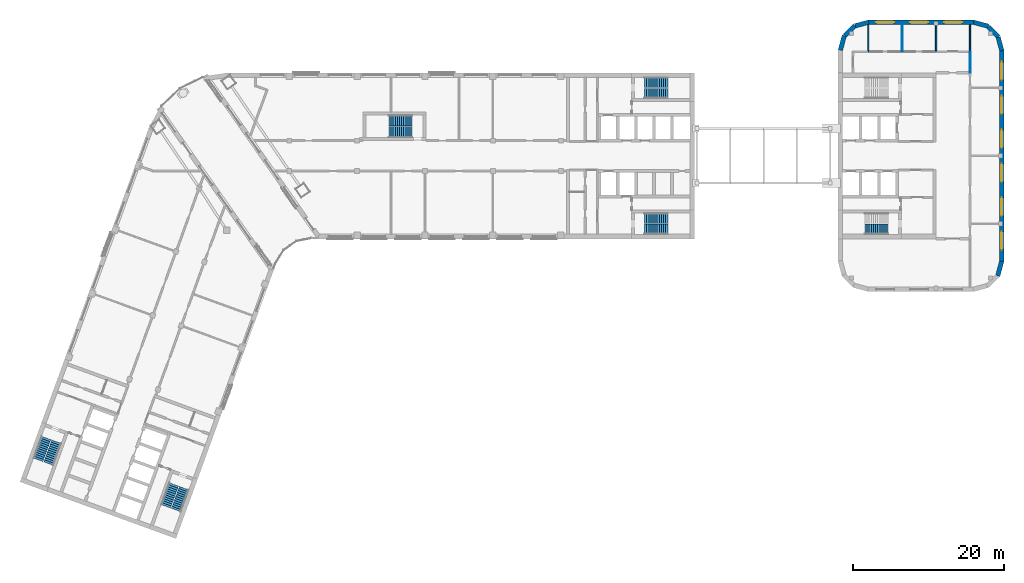
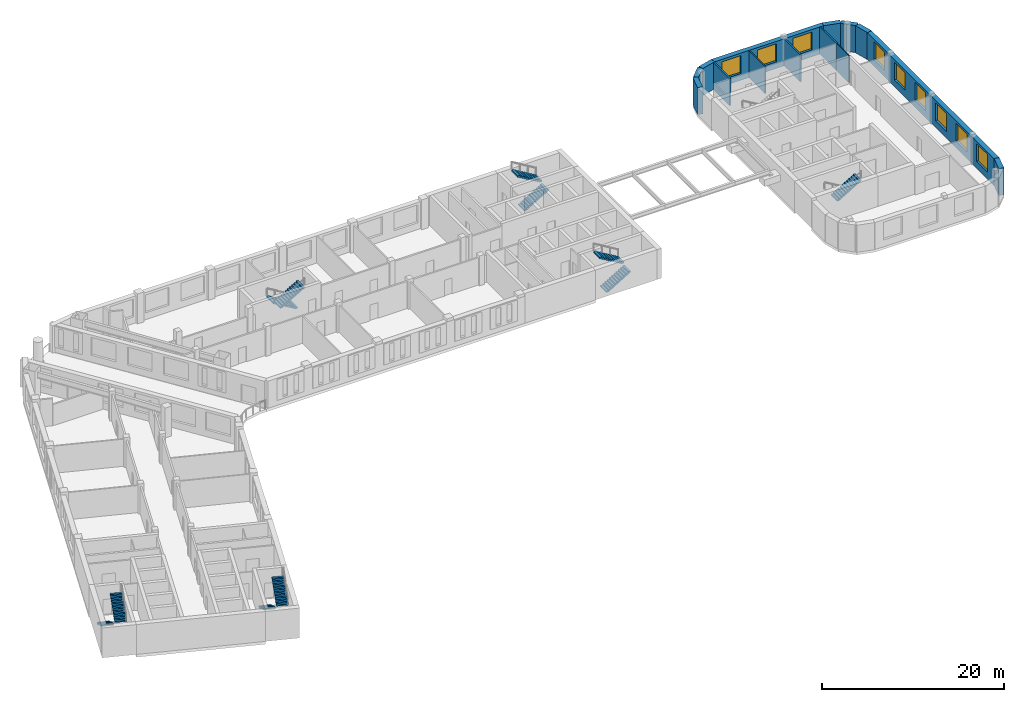
# One storey, part 9 of 14: 14 walls, 11 stair flights, 9 windows, 9 openings, 6 elements without a shape of their own.
"""IFC4 building model written with IfcOpenShell, lengths in metres."""

from ifc_helpers import new_model, si_unit, direction, frame, frame_2d, origin, place, context, subcontext, project, spatial, polyline, rectangle, outline, extrude, material, layer, layer_set, type_object, element, fill, aggregate, save


model = new_model("IFC4")

# Units and contexts
model_context = context("Model", 3, precision=1e-05, world=origin(), true_north=direction((0.0, 1.0)))
body_context = subcontext(model_context, "Body", "Model", "MODEL_VIEW")
ifc_project = project(units=[si_unit("LENGTHUNIT", "METRE"), si_unit("AREAUNIT", "SQUARE_METRE"), si_unit("VOLUMEUNIT", "CUBIC_METRE"), si_unit("PLANEANGLEUNIT", "RADIAN"), si_unit("MASSUNIT", "GRAM", prefix="KILO")], contexts=[model_context])

# Site, building, storey
site_placement = place(None, origin())
site = spatial("IfcSite", under=ifc_project, at=site_placement, CompositionType="ELEMENT")
building_placement = place(site_placement, origin())
building = spatial("IfcBuilding", under=site, at=building_placement, Name="Skarvind Civic Tower", CompositionType="ELEMENT")
storey_placement = place(building_placement, frame((0.0, 0.0, 105.0)))
storey = spatial("IfcBuildingStorey", under=building, at=storey_placement, Name="L24", CompositionType="ELEMENT", Elevation=105.0)

# Walls
ifc_material_1 = material(Name="Acoustic gypsum board on steel studs", Category="steel")
ifc_layer_1 = layer(ifc_material_1, 0.175048828125)
ifc_layer_set_1 = layer_set([ifc_layer_1], Name="ACOUSTIC MEETING-ROOM PARTITION 175")
wall_type_1 = type_object("IfcWallType", Name="ACOUSTIC MEETING-ROOM PARTITION 175", PredefinedType="PARTITIONING", material=ifc_layer_set_1)
wall_1_placement = place(storey_placement, frame((131.0, 145.37890625, 0.0), z_axis=(0.0, 0.0, 1.0), x_axis=(0.0, -1.0, 0.0)))
element("IfcWall", 1, at=wall_1_placement, inside=storey, type_object=wall_type_1, Name="Partition 24.004", PredefinedType="PARTITIONING", context=body_context, shape_type="SweptSolid", body=[
    extrude(rectangle(XDim=3.578857421875, YDim=0.175048828125, at=frame_2d((1.78955078125, 0.0))), origin(), (0.0, 0.0, 1.0), 3.625),
])
wall_2_placement = place(storey_placement, frame((140.0, 141.887939453125, 0.0), z_axis=(0.0, 0.0, 1.0), x_axis=(0.0, 1.0, 0.0)))
element("IfcWall", 2, at=wall_2_placement, inside=storey, type_object=wall_type_1, Name="Partition 24.007", PredefinedType="PARTITIONING", context=body_context, shape_type="SweptSolid", body=[
    extrude(rectangle(XDim=3.511962890625, YDim=0.175048828125, at=frame_2d((1.755859375, 0.0))), origin(), (0.0, 0.0, 1.0), 3.625),
])
wall_3_placement = place(storey_placement, frame((144.5, 141.800048828125, 0.0), z_axis=(0.0, 0.0, 1.0), x_axis=(0.0, 1.0, 0.0)))
element("IfcWall", 3, at=wall_3_placement, inside=storey, type_object=wall_type_1, Name="Partition 24.016", PredefinedType="PARTITIONING", context=body_context, shape_type="SweptSolid", body=[
    extrude(rectangle(XDim=3.599853515625, YDim=0.175048828125, at=frame_2d((1.7998046875, 0.0))), origin(), (0.0, 0.0, 1.0), 3.625),
])
ifc_material_2 = material(Name="Moisture-resistant gypsum board on steel studs", Category="steel")
ifc_layer_2 = layer(ifc_material_2, 0.125)
ifc_layer_set_2 = layer_set([ifc_layer_2], Name="WC PARTITION 125")
wall_type_2 = type_object("IfcWallType", Name="WC PARTITION 125", PredefinedType="PARTITIONING", material=ifc_layer_set_2)
wall_4_placement = place(storey_placement, frame((135.5, 141.862060546875, 0.0), z_axis=(0.0, 0.0, 1.0), x_axis=(0.0, 1.0, 0.0)))
element("IfcWall", 4, at=wall_4_placement, inside=storey, type_object=wall_type_2, Name="Partition 24.005", PredefinedType="PARTITIONING", context=body_context, shape_type="SweptSolid", body=[
    extrude(rectangle(XDim=3.537841796875, YDim=0.125, at=frame_2d((1.76904296875, 0.0))), origin(), (0.0, 0.0, 1.0), 3.625),
])
wall_5_placement = place(storey_placement, frame((144.5, 141.800048828125, 0.0), z_axis=(0.0, 0.0, 1.0), x_axis=(0.0, -1.0, 0.0)))
element("IfcWall", 5, at=wall_5_placement, inside=storey, type_object=wall_type_2, Name="Partition 24.015", PredefinedType="PARTITIONING", context=body_context, shape_type="SweptSolid", body=[
    extrude(rectangle(XDim=2.800048828125, YDim=0.125, at=frame_2d((1.39990234375, 0.0))), origin(), (0.0, 0.0, 1.0), 3.625),
])

# Wall, openings, windows
ifc_material_3 = material(Name="Limestone masonry cladding on insulated backing", Category="masonry")
ifc_layer_3 = layer(ifc_material_3, 0.60009765625)
ifc_layer_set_3 = layer_set([ifc_layer_3], Name="WX1 STONE FACADE WALL 600")
wall_type_3 = type_object("IfcWallType", Name="WX1 STONE FACADE WALL 600", PredefinedType="SOLIDWALL", material=ifc_layer_set_3)
wall_6_placement = place(storey_placement, frame((131.070068359375, 145.699951171875, 0.0), z_axis=(0.0, 0.0, 1.0), x_axis=(1.0, 0.0, 0.0)))
wall_6 = element("IfcWall", 6, at=wall_6_placement, inside=storey, type_object=wall_type_3, Name="STONE FACADE WALL", PredefinedType="SOLIDWALL", context=body_context, shape_type="SweptSolid", body=[
    extrude(rectangle(XDim=13.929931640625, YDim=0.60009765625, at=frame_2d((6.96484375, 0.0))), origin(), (0.0, 0.0, 1.0), 3.625),
])
opening_1_placement = place(wall_6_placement, frame((0.97998046875, 0.0, 0.89990234375)))
opening_1 = element("IfcOpeningElement", 7, at=opening_1_placement, cuts=wall_6, Name="Opening WN9", PredefinedType="OPENING", context=body_context, shape_type="SweptSolid", body=[
    extrude(rectangle(XDim=2.39990234375, YDim=2.39990234375, at=frame_2d((1.199951171875, 1.199951171875))), frame((0.0, 0.31005859375, 0.0), z_axis=(0.0, -1.0, 0.0), x_axis=(1.0, 0.0, 0.0)), (0.0, 0.0, 1.0), 0.6201171875),
])
opening_2_placement = place(wall_6_placement, frame((5.47998046875, 0.0, 0.89990234375)))
opening_2 = element("IfcOpeningElement", 8, at=opening_2_placement, cuts=wall_6, Name="Opening WN9", PredefinedType="OPENING", context=body_context, shape_type="SweptSolid", body=[
    extrude(rectangle(XDim=2.39990234375, YDim=2.39990234375, at=frame_2d((1.199951171875, 1.199951171875))), frame((0.0, 0.31005859375, 0.0), z_axis=(0.0, -1.0, 0.0), x_axis=(1.0, 0.0, 0.0)), (0.0, 0.0, 1.0), 0.6201171875),
])
opening_3_placement = place(wall_6_placement, frame((9.97998046875, 0.0, 0.89990234375)))
opening_3 = element("IfcOpeningElement", 9, at=opening_3_placement, cuts=wall_6, Name="Opening WN9", PredefinedType="OPENING", context=body_context, shape_type="SweptSolid", body=[
    extrude(rectangle(XDim=2.39990234375, YDim=2.39990234375, at=frame_2d((1.199951171875, 1.199951171875))), frame((0.0, 0.31005859375, 0.0), z_axis=(0.0, -1.0, 0.0), x_axis=(1.0, 0.0, 0.0)), (0.0, 0.0, 1.0), 0.6201171875),
])
ifc_material_4 = material(Name="Timber frame, double glazing, timber-lined reveal", Category="wood")
window_type = type_object("IfcWindowType", Name="WN9 COMPANION TOWER WINDOW 2400 x 2400", PartitioningType="SINGLE_PANEL", PredefinedType="WINDOW", material=ifc_material_4)
window_1_placement = place(opening_1_placement, origin())
window_1 = element("IfcWindow", 10, at=window_1_placement, inside=storey, type_object=window_type, Name="WN9 WINDOW", OverallHeight=2.39990234375, OverallWidth=2.39990234375, PartitioningType="SINGLE_PANEL", PredefinedType="WINDOW", context=body_context, shape_type="SweptSolid", body=[
    extrude(rectangle(XDim=2.39990234375, YDim=2.39990234375, at=frame_2d((1.199951171875, 1.199951171875))), frame((0.0, 0.030029296875, 0.0), z_axis=(0.0, -1.0, 0.0), x_axis=(1.0, 0.0, 0.0)), (0.0, 0.0, 1.0), 0.06005859375),
])
fill(opening_1, window_1)
window_2_placement = place(opening_2_placement, origin())
window_2 = element("IfcWindow", 11, at=window_2_placement, inside=storey, type_object=window_type, Name="WN9 WINDOW", OverallHeight=2.39990234375, OverallWidth=2.39990234375, PartitioningType="SINGLE_PANEL", PredefinedType="WINDOW", context=body_context, shape_type="SweptSolid", body=[
    extrude(rectangle(XDim=2.39990234375, YDim=2.39990234375, at=frame_2d((1.199951171875, 1.199951171875))), frame((0.0, 0.030029296875, 0.0), z_axis=(0.0, -1.0, 0.0), x_axis=(1.0, 0.0, 0.0)), (0.0, 0.0, 1.0), 0.06005859375),
])
fill(opening_2, window_2)
window_3_placement = place(opening_3_placement, origin())
window_3 = element("IfcWindow", 12, at=window_3_placement, inside=storey, type_object=window_type, Name="WN9 WINDOW", OverallHeight=2.39990234375, OverallWidth=2.39990234375, PartitioningType="SINGLE_PANEL", PredefinedType="WINDOW", context=body_context, shape_type="SweptSolid", body=[
    extrude(rectangle(XDim=2.39990234375, YDim=2.39990234375, at=frame_2d((1.199951171875, 1.199951171875))), frame((0.0, 0.030029296875, 0.0), z_axis=(0.0, -1.0, 0.0), x_axis=(1.0, 0.0, 0.0)), (0.0, 0.0, 1.0), 0.06005859375),
])
fill(opening_3, window_3)

# Walls
for number, where, z_axis, x_axis, name in (
    (13, (129.280517578125, 145.228759765625, 0.0), (0.0, 0.0, 1.0), (0.965938094805, 0.258773254036, 0.0), "STONE FACADE WALL"),
    (14, (127.896484375, 143.936279296875, 0.0), (0.0, 0.0, 1.0), (0.707106781187, 0.707106781187, 0.0), "STONE FACADE WALL"),
):
    element("IfcWall", number, at=place(storey_placement, frame(where, z_axis=z_axis, x_axis=x_axis)), inside=storey, type_object=wall_type_3, Name=name, PredefinedType="SOLIDWALL", context=body_context, shape_type="SweptSolid", body=[
        extrude(rectangle(XDim=1.860595703125, YDim=0.60009765625, at=frame_2d((0.93017578125, 0.0))), origin(), (0.0, 0.0, 1.0), 3.625),
    ])
for number, where, z_axis, x_axis, name in (
    (15, (127.307861328125, 141.989990234375, 0.0), (0.0, 0.0, 1.0), (0.258839784042, 0.965920269068, 0.0), "STONE FACADE WALL"),
    (16, (148.692138671875, 114.010009765625, 0.0), (0.0, 0.0, 1.0), (-0.258839784042, -0.965920269068, 0.0), "STONE FACADE WALL"),
):
    element("IfcWall", number, at=place(storey_placement, frame(where, z_axis=z_axis, x_axis=x_axis)), inside=storey, type_object=wall_type_3, Name=name, PredefinedType="SOLIDWALL", context=body_context, shape_type="SweptSolid", body=[
        extrude(rectangle(XDim=2.00048828125, YDim=0.60009765625, at=frame_2d((1.000244140625, 0.0))), origin(), (0.0, 0.0, 1.0), 3.625),
    ])

# Wall, openings, windows
wall_7_placement = place(storey_placement, frame((148.699951171875, 141.929931640625, 0.0), z_axis=(0.0, 0.0, 1.0), x_axis=(0.0, -1.0, 0.0)))
wall_7 = element("IfcWall", 17, at=wall_7_placement, inside=storey, type_object=wall_type_3, Name="STONE FACADE WALL", PredefinedType="SOLIDWALL", context=body_context, shape_type="SweptSolid", body=[
    extrude(rectangle(XDim=27.929931640625, YDim=0.60009765625, at=frame_2d((13.96484375, 0.0))), origin(), (0.0, 0.0, 1.0), 3.625),
])
opening_4_placement = place(wall_7_placement, frame((1.47998046875, 0.0, 0.89990234375)))
opening_4 = element("IfcOpeningElement", 18, at=opening_4_placement, cuts=wall_7, Name="Opening WN9", PredefinedType="OPENING", context=body_context, shape_type="SweptSolid", body=[
    extrude(rectangle(XDim=2.39990234375, YDim=2.39990234375, at=frame_2d((1.199951171875, 1.199951171875))), frame((0.0, 0.31005859375, 0.0), z_axis=(0.0, -1.0, 0.0), x_axis=(1.0, 0.0, 0.0)), (0.0, 0.0, 1.0), 0.6201171875),
])
opening_5_placement = place(wall_7_placement, frame((5.97998046875, 0.0, 0.89990234375)))
opening_5 = element("IfcOpeningElement", 19, at=opening_5_placement, cuts=wall_7, Name="Opening WN9", PredefinedType="OPENING", context=body_context, shape_type="SweptSolid", body=[
    extrude(rectangle(XDim=2.39990234375, YDim=2.39990234375, at=frame_2d((1.199951171875, 1.199951171875))), frame((0.0, 0.31005859375, 0.0), z_axis=(0.0, -1.0, 0.0), x_axis=(1.0, 0.0, 0.0)), (0.0, 0.0, 1.0), 0.6201171875),
])
opening_6_placement = place(wall_7_placement, frame((10.47998046875, 0.0, 0.89990234375)))
opening_6 = element("IfcOpeningElement", 20, at=opening_6_placement, cuts=wall_7, Name="Opening WN9", PredefinedType="OPENING", context=body_context, shape_type="SweptSolid", body=[
    extrude(rectangle(XDim=2.39990234375, YDim=2.39990234375, at=frame_2d((1.199951171875, 1.199951171875))), frame((0.0, 0.31005859375, 0.0), z_axis=(0.0, -1.0, 0.0), x_axis=(1.0, 0.0, 0.0)), (0.0, 0.0, 1.0), 0.6201171875),
])
opening_7_placement = place(wall_7_placement, frame((14.97998046875, 0.0, 0.89990234375)))
opening_7 = element("IfcOpeningElement", 21, at=opening_7_placement, cuts=wall_7, Name="Opening WN9", PredefinedType="OPENING", context=body_context, shape_type="SweptSolid", body=[
    extrude(rectangle(XDim=2.39990234375, YDim=2.39990234375, at=frame_2d((1.199951171875, 1.199951171875))), frame((0.0, 0.31005859375, 0.0), z_axis=(0.0, -1.0, 0.0), x_axis=(1.0, 0.0, 0.0)), (0.0, 0.0, 1.0), 0.6201171875),
])
opening_8_placement = place(wall_7_placement, frame((19.47998046875, 0.0, 0.89990234375)))
opening_8 = element("IfcOpeningElement", 22, at=opening_8_placement, cuts=wall_7, Name="Opening WN9", PredefinedType="OPENING", context=body_context, shape_type="SweptSolid", body=[
    extrude(rectangle(XDim=2.39990234375, YDim=2.39990234375, at=frame_2d((1.199951171875, 1.199951171875))), frame((0.0, 0.31005859375, 0.0), z_axis=(0.0, -1.0, 0.0), x_axis=(1.0, 0.0, 0.0)), (0.0, 0.0, 1.0), 0.6201171875),
])
opening_9_placement = place(wall_7_placement, frame((23.97998046875, 0.0, 0.89990234375)))
opening_9 = element("IfcOpeningElement", 23, at=opening_9_placement, cuts=wall_7, Name="Opening WN9", PredefinedType="OPENING", context=body_context, shape_type="SweptSolid", body=[
    extrude(rectangle(XDim=2.39990234375, YDim=2.39990234375, at=frame_2d((1.199951171875, 1.199951171875))), frame((0.0, 0.31005859375, 0.0), z_axis=(0.0, -1.0, 0.0), x_axis=(1.0, 0.0, 0.0)), (0.0, 0.0, 1.0), 0.6201171875),
])
window_4_placement = place(opening_4_placement, origin())
window_4 = element("IfcWindow", 24, at=window_4_placement, inside=storey, type_object=window_type, Name="WN9 WINDOW", OverallHeight=2.39990234375, OverallWidth=2.39990234375, PartitioningType="SINGLE_PANEL", PredefinedType="WINDOW", context=body_context, shape_type="SweptSolid", body=[
    extrude(rectangle(XDim=2.39990234375, YDim=2.39990234375, at=frame_2d((1.199951171875, 1.199951171875))), frame((0.0, 0.030029296875, 0.0), z_axis=(0.0, -1.0, 0.0), x_axis=(1.0, 0.0, 0.0)), (0.0, 0.0, 1.0), 0.06005859375),
])
fill(opening_4, window_4)
window_5_placement = place(opening_5_placement, origin())
window_5 = element("IfcWindow", 25, at=window_5_placement, inside=storey, type_object=window_type, Name="WN9 WINDOW", OverallHeight=2.39990234375, OverallWidth=2.39990234375, PartitioningType="SINGLE_PANEL", PredefinedType="WINDOW", context=body_context, shape_type="SweptSolid", body=[
    extrude(rectangle(XDim=2.39990234375, YDim=2.39990234375, at=frame_2d((1.199951171875, 1.199951171875))), frame((0.0, 0.030029296875, 0.0), z_axis=(0.0, -1.0, 0.0), x_axis=(1.0, 0.0, 0.0)), (0.0, 0.0, 1.0), 0.06005859375),
])
fill(opening_5, window_5)
window_6_placement = place(opening_6_placement, origin())
window_6 = element("IfcWindow", 26, at=window_6_placement, inside=storey, type_object=window_type, Name="WN9 WINDOW", OverallHeight=2.39990234375, OverallWidth=2.39990234375, PartitioningType="SINGLE_PANEL", PredefinedType="WINDOW", context=body_context, shape_type="SweptSolid", body=[
    extrude(rectangle(XDim=2.39990234375, YDim=2.39990234375, at=frame_2d((1.199951171875, 1.199951171875))), frame((0.0, 0.030029296875, 0.0), z_axis=(0.0, -1.0, 0.0), x_axis=(1.0, 0.0, 0.0)), (0.0, 0.0, 1.0), 0.06005859375),
])
fill(opening_6, window_6)
window_7_placement = place(opening_7_placement, origin())
window_7 = element("IfcWindow", 27, at=window_7_placement, inside=storey, type_object=window_type, Name="WN9 WINDOW", OverallHeight=2.39990234375, OverallWidth=2.39990234375, PartitioningType="SINGLE_PANEL", PredefinedType="WINDOW", context=body_context, shape_type="SweptSolid", body=[
    extrude(rectangle(XDim=2.39990234375, YDim=2.39990234375, at=frame_2d((1.199951171875, 1.199951171875))), frame((0.0, 0.030029296875, 0.0), z_axis=(0.0, -1.0, 0.0), x_axis=(1.0, 0.0, 0.0)), (0.0, 0.0, 1.0), 0.06005859375),
])
fill(opening_7, window_7)
window_8_placement = place(opening_8_placement, origin())
window_8 = element("IfcWindow", 28, at=window_8_placement, inside=storey, type_object=window_type, Name="WN9 WINDOW", OverallHeight=2.39990234375, OverallWidth=2.39990234375, PartitioningType="SINGLE_PANEL", PredefinedType="WINDOW", context=body_context, shape_type="SweptSolid", body=[
    extrude(rectangle(XDim=2.39990234375, YDim=2.39990234375, at=frame_2d((1.199951171875, 1.199951171875))), frame((0.0, 0.030029296875, 0.0), z_axis=(0.0, -1.0, 0.0), x_axis=(1.0, 0.0, 0.0)), (0.0, 0.0, 1.0), 0.06005859375),
])
fill(opening_8, window_8)
window_9_placement = place(opening_9_placement, origin())
window_9 = element("IfcWindow", 29, at=window_9_placement, inside=storey, type_object=window_type, Name="WN9 WINDOW", OverallHeight=2.39990234375, OverallWidth=2.39990234375, PartitioningType="SINGLE_PANEL", PredefinedType="WINDOW", context=body_context, shape_type="SweptSolid", body=[
    extrude(rectangle(XDim=2.39990234375, YDim=2.39990234375, at=frame_2d((1.199951171875, 1.199951171875))), frame((0.0, 0.030029296875, 0.0), z_axis=(0.0, -1.0, 0.0), x_axis=(1.0, 0.0, 0.0)), (0.0, 0.0, 1.0), 0.06005859375),
])
fill(opening_9, window_9)

# Walls
for number, where, z_axis, x_axis, name in (
    (30, (148.228759765625, 143.719482421875, 0.0), (0.0, 0.0, 1.0), (0.258773254036, -0.965938094805, 0.0), "STONE FACADE WALL"),
    (31, (146.936279296875, 145.103515625, 0.0), (0.0, 0.0, 1.0), (0.707106781187, -0.707106781187, 0.0), "STONE FACADE WALL"),
):
    element("IfcWall", number, at=place(storey_placement, frame(where, z_axis=z_axis, x_axis=x_axis)), inside=storey, type_object=wall_type_3, Name=name, PredefinedType="SOLIDWALL", context=body_context, shape_type="SweptSolid", body=[
        extrude(rectangle(XDim=1.860595703125, YDim=0.60009765625, at=frame_2d((0.93017578125, 0.0))), origin(), (0.0, 0.0, 1.0), 3.625),
    ])
wall_8_placement = place(storey_placement, frame((144.989990234375, 145.692138671875, 0.0), z_axis=(0.0, 0.0, 1.0), x_axis=(0.965920269068, -0.258839784042, 0.0)))
element("IfcWall", 32, at=wall_8_placement, inside=storey, type_object=wall_type_3, Name="STONE FACADE WALL", PredefinedType="SOLIDWALL", context=body_context, shape_type="SweptSolid", body=[
    extrude(rectangle(XDim=2.00048828125, YDim=0.60009765625, at=frame_2d((1.000244140625, 0.0))), origin(), (0.0, 0.0, 1.0), 3.625),
])

# Stair, stair flights
ifc_material_5 = material(Name="Concrete C40/50", Category="concrete")
stair_type_1 = type_object("IfcStairType", Name="Exit stair 1450, half-turn, concrete", PredefinedType="HALF_TURN_STAIR", material=ifc_material_5)
stair_1_placement = place(storey_placement, origin())
stair_1 = element("IfcStair", 33, at=stair_1_placement, inside=storey, type_object=stair_type_1, Name="Exit stair CM", PredefinedType="HALF_TURN_STAIR")
stair_flight_type_1 = type_object("IfcStairFlightType", Name="Stair flight 1450, concrete", PredefinedType="STRAIGHT", material=ifc_material_5)
stair_flight_1_placement = place(storey_placement, frame((70.550048828125, 132.675048828125, 0.0), z_axis=(0.0, 0.0, 1.0), x_axis=(-1.0, 0.0, 0.0)))
stair_flight_1 = element("IfcStairFlight", 34, at=stair_flight_1_placement, type_object=stair_flight_type_1, Name="ST-CM flight 1", NumberOfRisers=12, NumberOfTreads=11, PredefinedType="STRAIGHT", RiserHeight=0.166666667, TreadLength=0.28, context=body_context, shape_type="SweptSolid", body=[
    extrude(outline(polyline([(0.0, 0.0), (0.0, 0.166748046875), (0.280029296875, 0.166748046875), (0.280029296875, 0.333251953125), (0.56005859375, 0.333251953125), (0.56005859375, 0.5), (0.840087890625, 0.5), (0.840087890625, 0.666748046875), (1.1201171875, 0.666748046875), (1.1201171875, 0.833251953125), (1.39990234375, 0.833251953125), (1.39990234375, 1.0), (1.679931640625, 1.0), (1.679931640625, 1.166748046875), (1.9599609375, 1.166748046875), (1.9599609375, 1.333251953125), (2.239990234375, 1.333251953125), (2.239990234375, 1.5), (2.52001953125, 1.5), (2.52001953125, 1.666748046875), (2.800048828125, 1.666748046875), (2.800048828125, 1.833251953125), (3.080078125, 1.833251953125), (3.080078125, 2.0), (3.080078125, 1.658935546875), (0.29296875, 0.0), (0.0, 0.0)])), frame((0.0, 0.72509765625, 0.0), z_axis=(0.0, -1.0, 0.0), x_axis=(1.0, 0.0, 0.0)), (0.0, 0.0, 1.0), 1.449951171875),
])
stair_flight_2_placement = place(storey_placement, frame((67.469970703125, 131.125, 2.0), z_axis=(0.0, 0.0, 1.0), x_axis=(1.0, 0.0, 0.0)))
stair_flight_2 = element("IfcStairFlight", 35, at=stair_flight_2_placement, type_object=stair_flight_type_1, Name="ST-CM flight 2", NumberOfRisers=12, NumberOfTreads=11, PredefinedType="STRAIGHT", RiserHeight=0.166666667, TreadLength=0.28, context=body_context, shape_type="SweptSolid", body=[
    extrude(outline(polyline([(0.0, 0.0), (0.0, 0.166748046875), (0.280029296875, 0.166748046875), (0.280029296875, 0.333251953125), (0.56005859375, 0.333251953125), (0.56005859375, 0.5), (0.840087890625, 0.5), (0.840087890625, 0.666748046875), (1.1201171875, 0.666748046875), (1.1201171875, 0.833251953125), (1.39990234375, 0.833251953125), (1.39990234375, 1.0), (1.679931640625, 1.0), (1.679931640625, 1.166748046875), (1.9599609375, 1.166748046875), (1.9599609375, 1.333251953125), (2.239990234375, 1.333251953125), (2.239990234375, 1.5), (2.52001953125, 1.5), (2.52001953125, 1.666748046875), (2.800048828125, 1.666748046875), (2.800048828125, 1.833251953125), (3.080078125, 1.833251953125), (3.080078125, 2.0), (3.080078125, 1.658935546875), (0.29296875, 0.0), (0.0, 0.0)])), frame((0.0, 0.72509765625, 0.0), z_axis=(0.0, -1.0, 0.0), x_axis=(1.0, 0.0, 0.0)), (0.0, 0.0, 1.0), 1.449951171875),
])
aggregate(stair_1, [stair_flight_1, stair_flight_2])

stair_type_2 = type_object("IfcStairType", Name="Exit stair, half-turn, concrete", PredefinedType="HALF_TURN_STAIR", material=ifc_material_5)
stair_2_placement = place(storey_placement, origin())
stair_2 = element("IfcStair", 36, at=stair_2_placement, inside=storey, type_object=stair_type_2, Name="Exit stair C1S", PredefinedType="HALF_TURN_STAIR")
stair_flight_type_2 = type_object("IfcStairFlightType", Name="Stair flight, concrete", PredefinedType="STRAIGHT", material=ifc_material_5)
stair_flight_3_placement = place(storey_placement, frame((101.35009765625, 136.27490234375, 0.0), z_axis=(0.0, 0.0, 1.0), x_axis=(1.0, 0.0, 0.0)))
stair_flight_3 = element("IfcStairFlight", 37, at=stair_flight_3_placement, type_object=stair_flight_type_2, Name="ST-C1S flight 1", NumberOfRisers=12, NumberOfTreads=11, PredefinedType="STRAIGHT", RiserHeight=0.166666667, TreadLength=0.28, context=body_context, shape_type="SweptSolid", body=[
    extrude(outline(polyline([(0.0, 0.0), (0.0, 0.166748046875), (0.280029296875, 0.166748046875), (0.280029296875, 0.333251953125), (0.56005859375, 0.333251953125), (0.56005859375, 0.5), (0.840087890625, 0.5), (0.840087890625, 0.666748046875), (1.1201171875, 0.666748046875), (1.1201171875, 0.833251953125), (1.39990234375, 0.833251953125), (1.39990234375, 1.0), (1.679931640625, 1.0), (1.679931640625, 1.166748046875), (1.9599609375, 1.166748046875), (1.9599609375, 1.333251953125), (2.239990234375, 1.333251953125), (2.239990234375, 1.5), (2.52001953125, 1.5), (2.52001953125, 1.666748046875), (2.800048828125, 1.666748046875), (2.800048828125, 1.833251953125), (3.080078125, 1.833251953125), (3.080078125, 2.0), (3.080078125, 1.658935546875), (0.29296875, 0.0), (0.0, 0.0)])), frame((0.0, 0.675048828125, 0.0), z_axis=(0.0, -1.0, 0.0), x_axis=(1.0, 0.0, 0.0)), (0.0, 0.0, 1.0), 1.35009765625),
])
stair_flight_4_placement = place(storey_placement, frame((104.429931640625, 137.72509765625, 2.0), z_axis=(0.0, 0.0, 1.0), x_axis=(-1.0, 0.0, 0.0)))
stair_flight_4 = element("IfcStairFlight", 38, at=stair_flight_4_placement, type_object=stair_flight_type_2, Name="ST-C1S flight 2", NumberOfRisers=12, NumberOfTreads=11, PredefinedType="STRAIGHT", RiserHeight=0.166666667, TreadLength=0.28, context=body_context, shape_type="SweptSolid", body=[
    extrude(outline(polyline([(0.0, 0.0), (0.0, 0.166748046875), (0.280029296875, 0.166748046875), (0.280029296875, 0.333251953125), (0.56005859375, 0.333251953125), (0.56005859375, 0.5), (0.840087890625, 0.5), (0.840087890625, 0.666748046875), (1.1201171875, 0.666748046875), (1.1201171875, 0.833251953125), (1.39990234375, 0.833251953125), (1.39990234375, 1.0), (1.679931640625, 1.0), (1.679931640625, 1.166748046875), (1.9599609375, 1.166748046875), (1.9599609375, 1.333251953125), (2.239990234375, 1.333251953125), (2.239990234375, 1.5), (2.52001953125, 1.5), (2.52001953125, 1.666748046875), (2.800048828125, 1.666748046875), (2.800048828125, 1.833251953125), (3.080078125, 1.833251953125), (3.080078125, 2.0), (3.080078125, 1.658935546875), (0.29296875, 0.0), (0.0, 0.0)])), frame((0.0, 0.675048828125, 0.0), z_axis=(0.0, -1.0, 0.0), x_axis=(1.0, 0.0, 0.0)), (0.0, 0.0, 1.0), 1.35009765625),
])
aggregate(stair_2, [stair_flight_3, stair_flight_4])

stair_3_placement = place(storey_placement, origin())
stair_3 = element("IfcStair", 39, at=stair_3_placement, inside=storey, type_object=stair_type_2, Name="Exit stair C1N", PredefinedType="HALF_TURN_STAIR")
stair_flight_5_placement = place(storey_placement, frame((101.35009765625, 118.27490234375, 0.0), z_axis=(0.0, 0.0, 1.0), x_axis=(1.0, 0.0, 0.0)))
stair_flight_5 = element("IfcStairFlight", 40, at=stair_flight_5_placement, type_object=stair_flight_type_2, Name="ST-C1N flight 1", NumberOfRisers=12, NumberOfTreads=11, PredefinedType="STRAIGHT", RiserHeight=0.166666667, TreadLength=0.28, context=body_context, shape_type="SweptSolid", body=[
    extrude(outline(polyline([(0.0, 0.0), (0.0, 0.166748046875), (0.280029296875, 0.166748046875), (0.280029296875, 0.333251953125), (0.56005859375, 0.333251953125), (0.56005859375, 0.5), (0.840087890625, 0.5), (0.840087890625, 0.666748046875), (1.1201171875, 0.666748046875), (1.1201171875, 0.833251953125), (1.39990234375, 0.833251953125), (1.39990234375, 1.0), (1.679931640625, 1.0), (1.679931640625, 1.166748046875), (1.9599609375, 1.166748046875), (1.9599609375, 1.333251953125), (2.239990234375, 1.333251953125), (2.239990234375, 1.5), (2.52001953125, 1.5), (2.52001953125, 1.666748046875), (2.800048828125, 1.666748046875), (2.800048828125, 1.833251953125), (3.080078125, 1.833251953125), (3.080078125, 2.0), (3.080078125, 1.658935546875), (0.29296875, 0.0), (0.0, 0.0)])), frame((0.0, 0.675048828125, 0.0), z_axis=(0.0, -1.0, 0.0), x_axis=(1.0, 0.0, 0.0)), (0.0, 0.0, 1.0), 1.35009765625),
])
stair_flight_6_placement = place(storey_placement, frame((104.429931640625, 119.72509765625, 2.0), z_axis=(0.0, 0.0, 1.0), x_axis=(-1.0, 0.0, 0.0)))
stair_flight_6 = element("IfcStairFlight", 41, at=stair_flight_6_placement, type_object=stair_flight_type_2, Name="ST-C1N flight 2", NumberOfRisers=12, NumberOfTreads=11, PredefinedType="STRAIGHT", RiserHeight=0.166666667, TreadLength=0.28, context=body_context, shape_type="SweptSolid", body=[
    extrude(outline(polyline([(0.0, 0.0), (0.0, 0.166748046875), (0.280029296875, 0.166748046875), (0.280029296875, 0.333251953125), (0.56005859375, 0.333251953125), (0.56005859375, 0.5), (0.840087890625, 0.5), (0.840087890625, 0.666748046875), (1.1201171875, 0.666748046875), (1.1201171875, 0.833251953125), (1.39990234375, 0.833251953125), (1.39990234375, 1.0), (1.679931640625, 1.0), (1.679931640625, 1.166748046875), (1.9599609375, 1.166748046875), (1.9599609375, 1.333251953125), (2.239990234375, 1.333251953125), (2.239990234375, 1.5), (2.52001953125, 1.5), (2.52001953125, 1.666748046875), (2.800048828125, 1.666748046875), (2.800048828125, 1.833251953125), (3.080078125, 1.833251953125), (3.080078125, 2.0), (3.080078125, 1.658935546875), (0.29296875, 0.0), (0.0, 0.0)])), frame((0.0, 0.675048828125, 0.0), z_axis=(0.0, -1.0, 0.0), x_axis=(1.0, 0.0, 0.0)), (0.0, 0.0, 1.0), 1.35009765625),
])
aggregate(stair_3, [stair_flight_5, stair_flight_6])

stair_4_placement = place(storey_placement, origin())
stair_4 = element("IfcStair", 42, at=stair_4_placement, inside=storey, type_object=stair_type_2, Name="Exit stair C2S", PredefinedType="HALF_TURN_STAIR")
stair_flight_7_placement = place(storey_placement, frame((38.949462890625, 84.43408203125, 0.0), z_axis=(0.0, 0.0, 1.0), x_axis=(-0.342020143326, -0.939692620786, 0.0)))
stair_flight_7 = element("IfcStairFlight", 43, at=stair_flight_7_placement, type_object=stair_flight_type_2, Name="ST-C2S flight 1", NumberOfRisers=12, NumberOfTreads=11, PredefinedType="STRAIGHT", RiserHeight=0.166666667, TreadLength=0.28, context=body_context, shape_type="SweptSolid", body=[
    extrude(outline(polyline([(0.0, 0.0), (0.0, 0.166748046875), (0.280029296875, 0.166748046875), (0.280029296875, 0.333251953125), (0.56005859375, 0.333251953125), (0.56005859375, 0.5), (0.840087890625, 0.5), (0.840087890625, 0.666748046875), (1.1201171875, 0.666748046875), (1.1201171875, 0.833251953125), (1.39990234375, 0.833251953125), (1.39990234375, 1.0), (1.679931640625, 1.0), (1.679931640625, 1.166748046875), (1.9599609375, 1.166748046875), (1.9599609375, 1.333251953125), (2.239990234375, 1.333251953125), (2.239990234375, 1.5), (2.52001953125, 1.5), (2.52001953125, 1.666748046875), (2.800048828125, 1.666748046875), (2.800048828125, 1.833251953125), (3.080078125, 1.833251953125), (3.080078125, 2.0), (3.080078125, 1.658935546875), (0.29296875, 0.0), (0.0, 0.0)])), frame((0.0, 0.675048828125, 0.0), z_axis=(0.0, -1.0, 0.0), x_axis=(1.0, 0.0, 0.0)), (0.0, 0.0, 1.0), 1.35009765625),
])
stair_flight_8_placement = place(storey_placement, frame((39.258544921875, 81.0439453125, 2.0), z_axis=(0.0, 0.0, 1.0), x_axis=(0.342020143326, 0.939692620786, 0.0)))
stair_flight_8 = element("IfcStairFlight", 44, at=stair_flight_8_placement, type_object=stair_flight_type_2, Name="ST-C2S flight 2", NumberOfRisers=12, NumberOfTreads=11, PredefinedType="STRAIGHT", RiserHeight=0.166666667, TreadLength=0.28, context=body_context, shape_type="SweptSolid", body=[
    extrude(outline(polyline([(0.0, 0.0), (0.0, 0.166748046875), (0.280029296875, 0.166748046875), (0.280029296875, 0.333251953125), (0.56005859375, 0.333251953125), (0.56005859375, 0.5), (0.840087890625, 0.5), (0.840087890625, 0.666748046875), (1.1201171875, 0.666748046875), (1.1201171875, 0.833251953125), (1.39990234375, 0.833251953125), (1.39990234375, 1.0), (1.679931640625, 1.0), (1.679931640625, 1.166748046875), (1.9599609375, 1.166748046875), (1.9599609375, 1.333251953125), (2.239990234375, 1.333251953125), (2.239990234375, 1.5), (2.52001953125, 1.5), (2.52001953125, 1.666748046875), (2.800048828125, 1.666748046875), (2.800048828125, 1.833251953125), (3.080078125, 1.833251953125), (3.080078125, 2.0), (3.080078125, 1.658935546875), (0.29296875, 0.0), (0.0, 0.0)])), frame((0.0, 0.675048828125, 0.0), z_axis=(0.0, -1.0, 0.0), x_axis=(1.0, 0.0, 0.0)), (0.0, 0.0, 1.0), 1.35009765625),
])
aggregate(stair_4, [stair_flight_7, stair_flight_8])

stair_5_placement = place(storey_placement, origin())
stair_5 = element("IfcStair", 45, at=stair_5_placement, inside=storey, type_object=stair_type_2, Name="Exit stair C2N", PredefinedType="HALF_TURN_STAIR")
stair_flight_9_placement = place(storey_placement, frame((22.034912109375, 90.590576171875, 0.0), z_axis=(0.0, 0.0, 1.0), x_axis=(-0.342020143326, -0.939692620786, 0.0)))
stair_flight_9 = element("IfcStairFlight", 46, at=stair_flight_9_placement, type_object=stair_flight_type_2, Name="ST-C2N flight 1", NumberOfRisers=12, NumberOfTreads=11, PredefinedType="STRAIGHT", RiserHeight=0.166666667, TreadLength=0.28, context=body_context, shape_type="SweptSolid", body=[
    extrude(outline(polyline([(0.0, 0.0), (0.0, 0.166748046875), (0.280029296875, 0.166748046875), (0.280029296875, 0.333251953125), (0.56005859375, 0.333251953125), (0.56005859375, 0.5), (0.840087890625, 0.5), (0.840087890625, 0.666748046875), (1.1201171875, 0.666748046875), (1.1201171875, 0.833251953125), (1.39990234375, 0.833251953125), (1.39990234375, 1.0), (1.679931640625, 1.0), (1.679931640625, 1.166748046875), (1.9599609375, 1.166748046875), (1.9599609375, 1.333251953125), (2.239990234375, 1.333251953125), (2.239990234375, 1.5), (2.52001953125, 1.5), (2.52001953125, 1.666748046875), (2.800048828125, 1.666748046875), (2.800048828125, 1.833251953125), (3.080078125, 1.833251953125), (3.080078125, 2.0), (3.080078125, 1.658935546875), (0.29296875, 0.0), (0.0, 0.0)])), frame((0.0, 0.675048828125, 0.0), z_axis=(0.0, -1.0, 0.0), x_axis=(1.0, 0.0, 0.0)), (0.0, 0.0, 1.0), 1.35009765625),
])
stair_flight_10_placement = place(storey_placement, frame((22.343994140625, 87.2001953125, 2.0), z_axis=(0.0, 0.0, 1.0), x_axis=(0.342020143326, 0.939692620786, 0.0)))
stair_flight_10 = element("IfcStairFlight", 47, at=stair_flight_10_placement, type_object=stair_flight_type_2, Name="ST-C2N flight 2", NumberOfRisers=12, NumberOfTreads=11, PredefinedType="STRAIGHT", RiserHeight=0.166666667, TreadLength=0.28, context=body_context, shape_type="SweptSolid", body=[
    extrude(outline(polyline([(0.0, 0.0), (0.0, 0.166748046875), (0.280029296875, 0.166748046875), (0.280029296875, 0.333251953125), (0.56005859375, 0.333251953125), (0.56005859375, 0.5), (0.840087890625, 0.5), (0.840087890625, 0.666748046875), (1.1201171875, 0.666748046875), (1.1201171875, 0.833251953125), (1.39990234375, 0.833251953125), (1.39990234375, 1.0), (1.679931640625, 1.0), (1.679931640625, 1.166748046875), (1.9599609375, 1.166748046875), (1.9599609375, 1.333251953125), (2.239990234375, 1.333251953125), (2.239990234375, 1.5), (2.52001953125, 1.5), (2.52001953125, 1.666748046875), (2.800048828125, 1.666748046875), (2.800048828125, 1.833251953125), (3.080078125, 1.833251953125), (3.080078125, 2.0), (3.080078125, 1.658935546875), (0.29296875, 0.0), (0.0, 0.0)])), frame((0.0, 0.675048828125, 0.0), z_axis=(0.0, -1.0, 0.0), x_axis=(1.0, 0.0, 0.0)), (0.0, 0.0, 1.0), 1.35009765625),
])
aggregate(stair_5, [stair_flight_9, stair_flight_10])

# Stair, stair flight
stair_6_placement = place(storey_placement, origin())
stair_6 = element("IfcStair", 48, at=stair_6_placement, inside=storey, type_object=stair_type_2, Name="Exit stair CAS", PredefinedType="HALF_TURN_STAIR")
stair_flight_11_placement = place(storey_placement, frame((130.570068359375, 118.27490234375, 2.0), z_axis=(0.0, 0.0, 1.0), x_axis=(1.0, 0.0, 0.0)))
stair_flight_11 = element("IfcStairFlight", 49, at=stair_flight_11_placement, type_object=stair_flight_type_2, Name="ST-CAS flight 2", NumberOfRisers=12, NumberOfTreads=11, PredefinedType="STRAIGHT", RiserHeight=0.166666667, TreadLength=0.28, context=body_context, shape_type="SweptSolid", body=[
    extrude(outline(polyline([(0.0, 0.0), (0.0, 0.166748046875), (0.280029296875, 0.166748046875), (0.280029296875, 0.333251953125), (0.56005859375, 0.333251953125), (0.56005859375, 0.5), (0.840087890625, 0.5), (0.840087890625, 0.666748046875), (1.1201171875, 0.666748046875), (1.1201171875, 0.833251953125), (1.39990234375, 0.833251953125), (1.39990234375, 1.0), (1.679931640625, 1.0), (1.679931640625, 1.166748046875), (1.9599609375, 1.166748046875), (1.9599609375, 1.333251953125), (2.239990234375, 1.333251953125), (2.239990234375, 1.5), (2.52001953125, 1.5), (2.52001953125, 1.666748046875), (2.800048828125, 1.666748046875), (2.800048828125, 1.833251953125), (3.080078125, 1.833251953125), (3.080078125, 2.0), (3.080078125, 1.658935546875), (0.29296875, 0.0), (0.0, 0.0)])), frame((0.0, 0.675048828125, 0.0), z_axis=(0.0, -1.0, 0.0), x_axis=(1.0, 0.0, 0.0)), (0.0, 0.0, 1.0), 1.35009765625),
])
aggregate(stair_6, [stair_flight_11])

save(model, "model.ifc")
